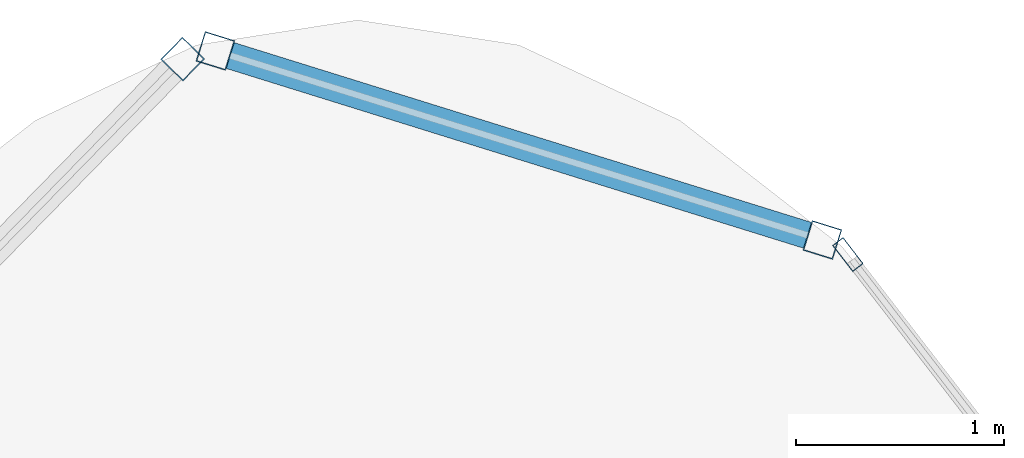
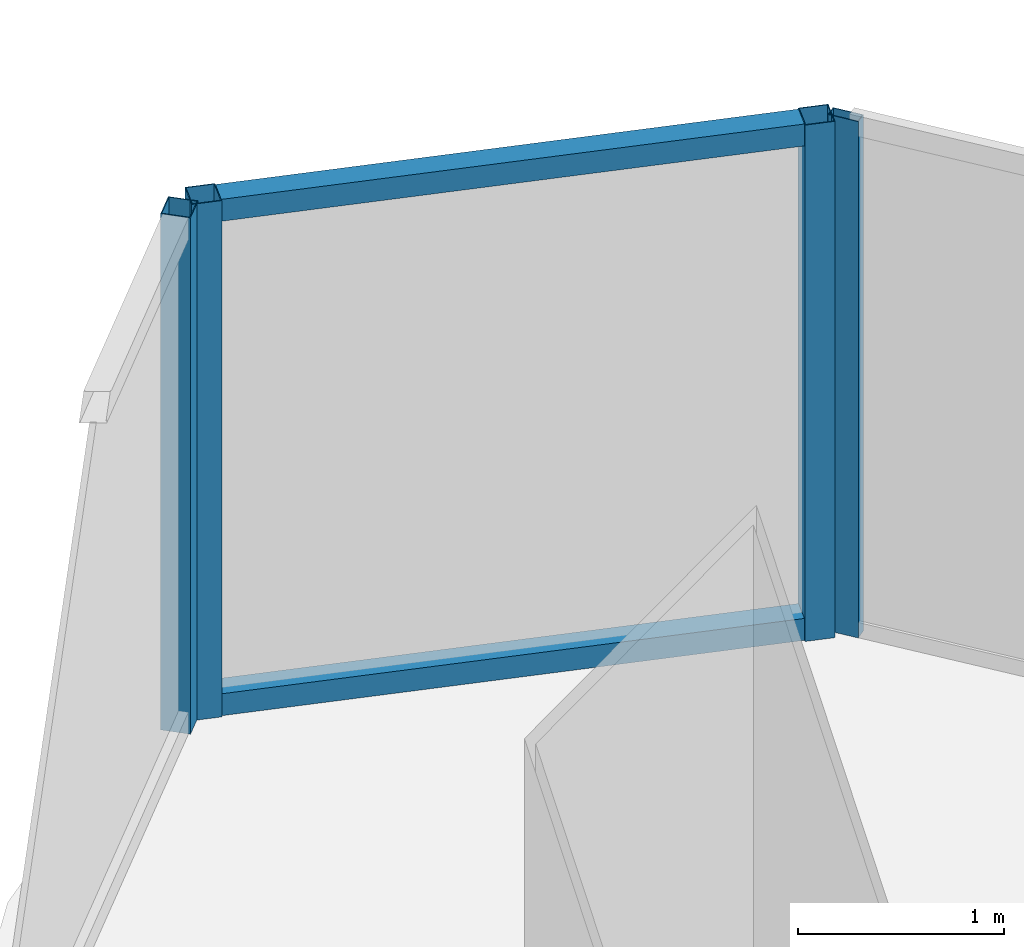
# One storey, part 24 of 30: 6 members, 3 elements without a shape of their own.
"""IFC4 building model written with IfcOpenShell, lengths in metres."""

from ifc_helpers import new_model, si_unit, direction, frame, origin, origin_2d, place, context, subcontext, project, spatial, hollow_rectangle, extrude, material, layer, layer_set, material_profile, profile_set, type_object, element, aggregate, save


model = new_model("IFC4")

# Units and contexts
model_context = context("Model", 3, precision=1e-05, world=origin(), true_north=direction((0.0, 1.0)))
body_context = subcontext(model_context, "Body", "Model", "MODEL_VIEW")
ifc_project = project(units=[si_unit("LENGTHUNIT", "METRE"), si_unit("AREAUNIT", "SQUARE_METRE"), si_unit("VOLUMEUNIT", "CUBIC_METRE"), si_unit("PLANEANGLEUNIT", "RADIAN"), si_unit("MASSUNIT", "GRAM", prefix="KILO")], contexts=[model_context])

# Site, building, storey
site_placement = place(None, origin())
site = spatial("IfcSite", under=ifc_project, at=site_placement, CompositionType="ELEMENT")
building_placement = place(site_placement, origin())
building = spatial("IfcBuilding", under=site, at=building_placement, Name="Orvanel Arch Residences", CompositionType="ELEMENT")
storey_placement = place(building_placement, frame((0.0, 0.0, 240.35009765625)))
storey = spatial("IfcBuildingStorey", under=building, at=storey_placement, Name="L68", CompositionType="ELEMENT", Elevation=240.35009765625)

# Curtain wall, members
ifc_material = material(Name="Bronze-anodised aluminium AA6063-T6", Category="aluminium")
ifc_layer_1 = layer(ifc_material, 0.18994140625)
ifc_layer_set_1 = layer_set([ifc_layer_1], Name="Bronze-anodised aluminium AA6063-T6")
curtain_wall_type_1 = type_object("IfcCurtainWallType", Name="CW5-CRN-SYS", PredefinedType="NOTDEFINED", material=ifc_layer_set_1)
curtain_wall_1_placement = place(storey_placement, origin())
curtain_wall_1 = element("IfcCurtainWall", 1, at=curtain_wall_1_placement, inside=storey, type_object=curtain_wall_type_1, Name="L68 CW5-CRN-SYS Unitised Curtain Wall", PredefinedType="NOTDEFINED")
ifc_material_profile_1 = material_profile(ifc_material, hollow_rectangle(XDim=0.14990234375, YDim=0.14990234375, WallThickness=0.0048828125, at=origin_2d()), Name="ALU150x150x5")
ifc_profile_set_1 = profile_set([ifc_material_profile_1], Name="Bronze-anodised aluminium AA6063-T6")
member_type_1 = type_object("IfcMemberType", Name="MUL-150x150", PredefinedType="MULLION", material=ifc_profile_set_1)
member_1_placement = place(storey_placement, frame((35.23046875, 44.2001953125, 0.0), z_axis=(0.0, 0.0, 1.0), x_axis=(-0.297332318759, -0.954774052968, 0.0)))
member_1 = element("IfcMember", 2, at=member_1_placement, type_object=member_type_1, Name="CW-S5 mullion 1", PredefinedType="MULLION", context=body_context, shape_type="SweptSolid", body=[
    extrude(hollow_rectangle(XDim=0.14990234375, YDim=0.14990234375, WallThickness=0.0048828125, at=origin_2d()), origin(), (0.0, 0.0, 1.0), 3.059814453125),
])
member_2_placement = place(storey_placement, frame((32.316650390625, 45.107666015625, 0.0), z_axis=(0.0, 0.0, 1.0), x_axis=(-0.297332318759, -0.954774052968, 0.0)))
member_2 = element("IfcMember", 3, at=member_2_placement, type_object=member_type_1, Name="CW-S5 mullion 2", PredefinedType="MULLION", context=body_context, shape_type="SweptSolid", body=[
    extrude(hollow_rectangle(XDim=0.14990234375, YDim=0.14990234375, WallThickness=0.0048828125, at=origin_2d()), origin(), (0.0, 0.0, 1.0), 3.059814453125),
])

# Curtain wall, member
curtain_wall_2_placement = place(storey_placement, origin())
curtain_wall_2 = element("IfcCurtainWall", 4, at=curtain_wall_2_placement, inside=storey, type_object=curtain_wall_type_1, Name="L68 CW5-CRN-SYS Unitised Curtain Wall", PredefinedType="NOTDEFINED")
member_3_placement = place(storey_placement, frame((32.15966796875, 45.068359375, 0.0), z_axis=(0.0, 0.0, 1.0), x_axis=(0.71514941275, -0.69897161419, 0.0)))
member_3 = element("IfcMember", 5, at=member_3_placement, type_object=member_type_1, Name="CW-S5 mullion 1", PredefinedType="MULLION", context=body_context, shape_type="SweptSolid", body=[
    extrude(hollow_rectangle(XDim=0.14990234375, YDim=0.14990234375, WallThickness=0.0048828125, at=origin_2d()), origin(), (0.0, 0.0, 1.0), 3.059814453125),
])
aggregate(curtain_wall_2, [member_3])

ifc_layer_2 = layer(ifc_material, 0.175048828125)
ifc_layer_set_2 = layer_set([ifc_layer_2], Name="Bronze-anodised aluminium AA6063-T6")
curtain_wall_type_2 = type_object("IfcCurtainWallType", Name="CW4-HI-SYS", PredefinedType="NOTDEFINED", material=ifc_layer_set_2)
curtain_wall_3_placement = place(storey_placement, origin())
curtain_wall_3 = element("IfcCurtainWall", 6, at=curtain_wall_3_placement, inside=storey, type_object=curtain_wall_type_2, Name="L68 CW4-HI-SYS Unitised Curtain Wall", PredefinedType="NOTDEFINED")
ifc_material_profile_2 = material_profile(ifc_material, hollow_rectangle(XDim=0.06494140625, YDim=0.159912109375, WallThickness=0.00390625, at=origin_2d()), Name="ALU160x65x4")
ifc_profile_set_2 = profile_set([ifc_material_profile_2], Name="Bronze-anodised aluminium AA6063-T6")
member_type_2 = type_object("IfcMemberType", Name="MUL-160x65", PredefinedType="MULLION", material=ifc_profile_set_2)
member_4_placement = place(storey_placement, frame((35.352783203125, 44.13037109375, 0.0), z_axis=(0.0, 0.0, 1.0), x_axis=(-0.791477630276, -0.611198135446, 0.0)))
member_4 = element("IfcMember", 7, at=member_4_placement, type_object=member_type_2, Name="CW-S4 mullion 3", PredefinedType="MULLION", context=body_context, shape_type="SweptSolid", body=[
    extrude(hollow_rectangle(XDim=0.06494140625, YDim=0.159912109375, WallThickness=0.00390625, at=origin_2d()), origin(), (0.0, 0.0, 1.0), 3.059814453125),
])
aggregate(curtain_wall_3, [member_4])

# Member
ifc_material_profile_3 = material_profile(ifc_material, hollow_rectangle(XDim=0.1298828125, YDim=0.1298828125, WallThickness=0.00439453125, at=origin_2d()), Name="ALU130x130x4.5")
ifc_profile_set_3 = profile_set([ifc_material_profile_3], Name="Bronze-anodised aluminium AA6063-T6")
member_type_3 = type_object("IfcMemberType", Name="TRN-130x130", PredefinedType="USERDEFINED", material=ifc_profile_set_3)
member_5_placement = place(storey_placement, frame((35.15869140625, 44.22265625, 0.06494140625), z_axis=(-0.954772943491, 0.297335881415, 0.0), x_axis=(-0.297335881415, -0.954772943491, 0.0)))
member_5 = element("IfcMember", 8, at=member_5_placement, type_object=member_type_3, Name="CW-S5 transom 1.1", ObjectType="TRANSOM", PredefinedType="USERDEFINED", context=body_context, shape_type="SweptSolid", body=[
    extrude(hollow_rectangle(XDim=0.1298828125, YDim=0.1298828125, WallThickness=0.00439453125, at=origin_2d()), origin(), (0.0, 0.0, 1.0), 2.90185546875),
])

member_6_placement = place(storey_placement, frame((35.15869140625, 44.22265625, 2.994873046875), z_axis=(-0.954772943491, 0.297335881415, 0.0), x_axis=(-0.297335881415, -0.954772943491, 0.0)))
member_6 = element("IfcMember", 9, at=member_6_placement, type_object=member_type_3, Name="CW-S5 transom 1.2", ObjectType="TRANSOM", PredefinedType="USERDEFINED", context=body_context, shape_type="SweptSolid", body=[
    extrude(hollow_rectangle(XDim=0.1298828125, YDim=0.1298828125, WallThickness=0.00439453125, at=origin_2d()), origin(), (0.0, 0.0, 1.0), 2.90185546875),
])

aggregate(curtain_wall_1, [member_1, member_2, member_5, member_6])

save(model, "model.ifc")
